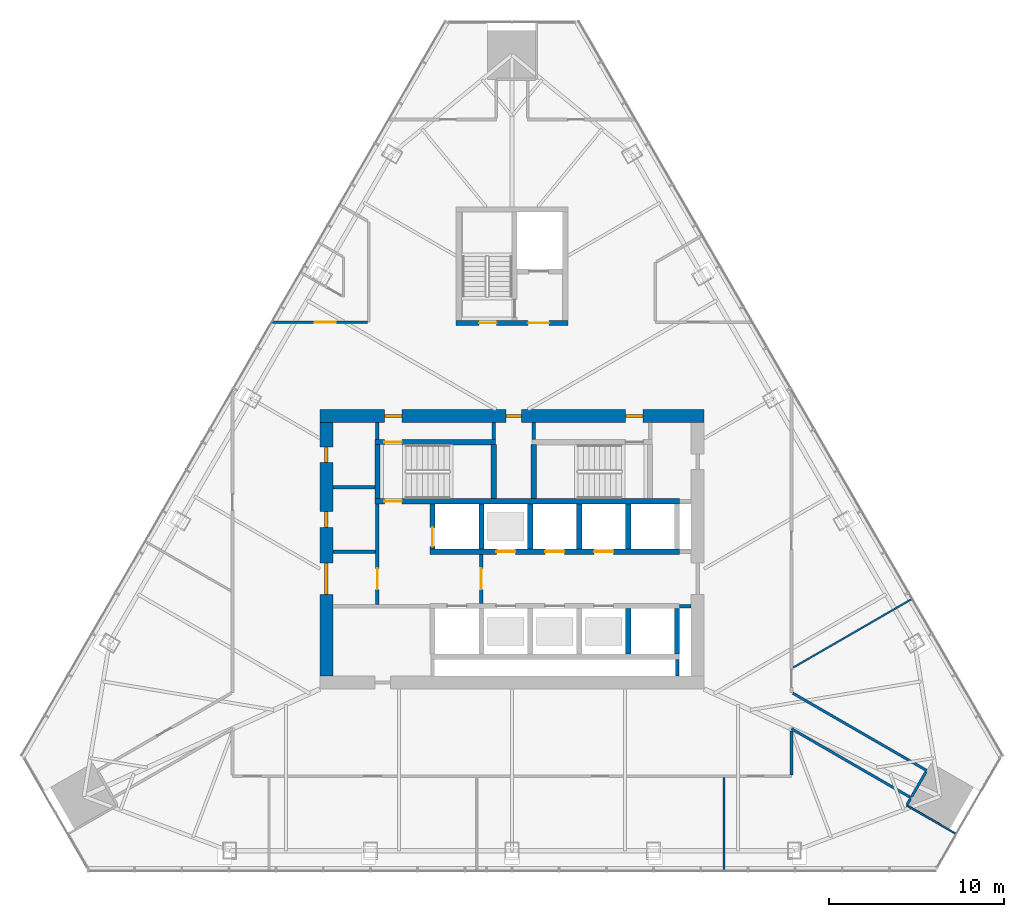
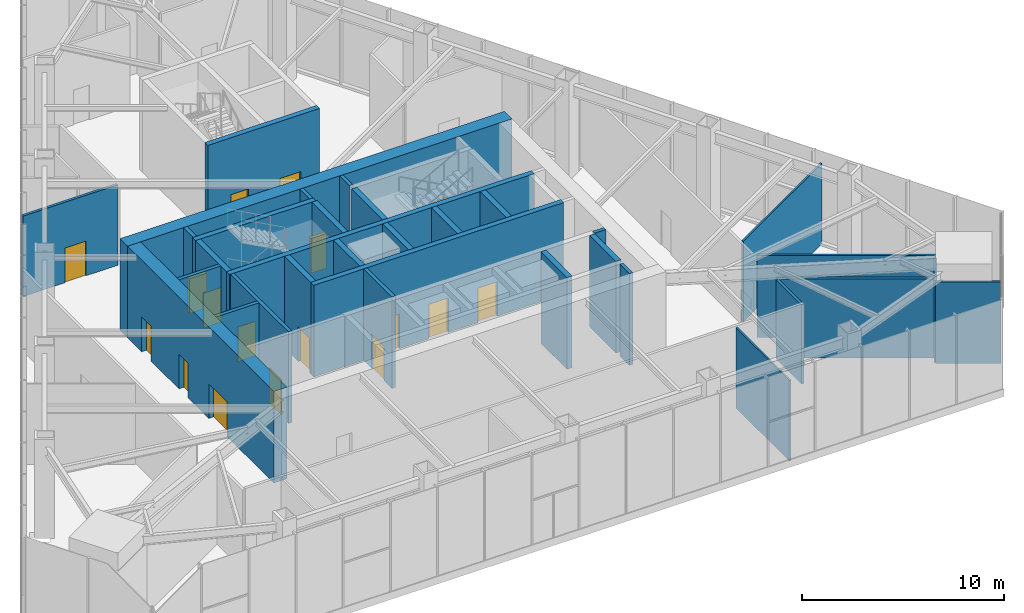
# One storey, part 11 of 16: 34 walls, 17 doors, 17 openings.
"""IFC4 building model written with IfcOpenShell, lengths in metres."""

from ifc_helpers import new_model, si_unit, direction, frame, frame_2d, origin, place, context, subcontext, project, spatial, rectangle, extrude, material, layer, layer_set, type_object, element, fill, save


model = new_model("IFC4")

# Units and contexts
model_context = context("Model", 3, precision=1e-05, world=origin(), true_north=direction((0.0, 1.0)))
body_context = subcontext(model_context, "Body", "Model", "MODEL_VIEW")
ifc_project = project(units=[si_unit("LENGTHUNIT", "METRE"), si_unit("AREAUNIT", "SQUARE_METRE"), si_unit("VOLUMEUNIT", "CUBIC_METRE"), si_unit("PLANEANGLEUNIT", "RADIAN"), si_unit("MASSUNIT", "GRAM", prefix="KILO")], contexts=[model_context])

# Site, building, storey
site_placement = place(None, origin())
site = spatial("IfcSite", under=ifc_project, at=site_placement, CompositionType="ELEMENT")
building_placement = place(site_placement, origin())
building = spatial("IfcBuilding", under=site, at=building_placement, Name="Firuza Gate Tower and Library", CompositionType="ELEMENT")
storey_placement = place(building_placement, frame((0.0, 0.0, 241.60009765625)))
storey = spatial("IfcBuildingStorey", under=building, at=storey_placement, Name="L57", CompositionType="ELEMENT", Elevation=241.60009765625)

# Walls
ifc_material_1 = material(Name="Plasterboard on steel studs", Category="steel")
ifc_layer_1 = layer(ifc_material_1, 0.199951171875)
ifc_layer_set_1 = layer_set([ifc_layer_1], Name="Core partition 200 EI 120")
wall_type_1 = type_object("IfcWallType", Name="Core partition 200 EI 120", PredefinedType="PARTITIONING", material=ifc_layer_set_1)
wall_1_placement = place(storey_placement, frame((84.60009765625, 71.75, 0.0), z_axis=(0.0, 0.0, 1.0), x_axis=(1.0, 0.0, 0.0)))
element("IfcWall", 1, at=wall_1_placement, inside=storey, type_object=wall_type_1, Name="Core partition L57 2", PredefinedType="PARTITIONING", context=body_context, shape_type="SweptSolid", body=[
    extrude(rectangle(XDim=0.64990234375, YDim=0.199951171875, at=frame_2d((0.324951171875, 0.0))), origin(), (0.0, 0.0, 1.0), 5.5498046875),
])
wall_2_placement = place(storey_placement, frame((84.449951171875, 67.75, 0.0), z_axis=(0.0, 0.0, 1.0), x_axis=(0.0, 1.0, 0.0)))
element("IfcWall", 2, at=wall_2_placement, inside=storey, type_object=wall_type_1, Name="Core partition L57 14", PredefinedType="PARTITIONING", context=body_context, shape_type="SweptSolid", body=[
    extrude(rectangle(XDim=0.949951171875, YDim=0.199951171875, at=frame_2d((0.47509765625, 0.0))), origin(), (0.0, 0.0, 1.0), 5.5498046875),
])
ifc_material_2 = material(Name="Plasterboard on steel studs", Category="steel")
ifc_layer_2 = layer(ifc_material_2, 0.199951171875)
ifc_layer_set_2 = layer_set([ifc_layer_2], Name="Core partition 200 EI 60")
wall_type_2 = type_object("IfcWallType", Name="Core partition 200 EI 60", PredefinedType="PARTITIONING", material=ifc_layer_set_2)
wall_3_placement = place(storey_placement, frame((64.75, 74.85009765625, 0.0), z_axis=(0.0, 0.0, 1.0), x_axis=(1.0, 0.0, 0.0)))
element("IfcWall", 3, at=wall_3_placement, inside=storey, type_object=wall_type_2, Name="Core partition L57 3", PredefinedType="PARTITIONING", context=body_context, shape_type="SweptSolid", body=[
    extrude(rectangle(XDim=2.449951171875, YDim=0.199951171875, at=frame_2d((1.22509765625, 0.0))), origin(), (0.0, 0.0, 1.0), 5.5498046875),
])
wall_4_placement = place(storey_placement, frame((64.75, 78.550048828125, 0.0), z_axis=(0.0, 0.0, 1.0), x_axis=(1.0, 0.0, 0.0)))
element("IfcWall", 4, at=wall_4_placement, inside=storey, type_object=wall_type_2, Name="Core partition L57 6", PredefinedType="PARTITIONING", context=body_context, shape_type="SweptSolid", body=[
    extrude(rectangle(XDim=2.39990234375, YDim=0.199951171875, at=frame_2d((1.199951171875, 0.0))), origin(), (0.0, 0.0, 1.0), 5.5498046875),
])

# Wall, opening, door
wall_5_placement = place(storey_placement, frame((67.300048828125, 71.85009765625, 0.0), z_axis=(0.0, 0.0, 1.0), x_axis=(0.0, 1.0, 0.0)))
wall_5 = element("IfcWall", 5, at=wall_5_placement, inside=storey, type_object=wall_type_2, Name="Core partition L57 7", PredefinedType="PARTITIONING", context=body_context, shape_type="SweptSolid", body=[
    extrude(rectangle(XDim=5.75, YDim=0.199951171875, at=frame_2d((2.875, 0.0))), origin(), (0.0, 0.0, 1.0), 5.5498046875),
])
opening_1_placement = place(wall_5_placement, frame((0.85009765625, 0.0, 0.0)))
opening_1 = element("IfcOpeningElement", 6, at=opening_1_placement, cuts=wall_5, Name="Opening L57-K19", PredefinedType="OPENING", context=body_context, shape_type="SweptSolid", body=[
    extrude(rectangle(XDim=1.199951171875, YDim=2.10009765625, at=frame_2d((0.60009765625, 1.050048828125))), frame((0.0, 0.10986328125, 0.0), z_axis=(0.0, -1.0, 0.0), x_axis=(1.0, 0.0, 0.0)), (0.0, 0.0, 1.0), 0.219970703125),
])
ifc_material_3 = material(Name="Steel", Category="steel")
door_type_1 = type_object("IfcDoorType", Name="Fire door 1200x2100 FD90S", OperationType="NOTDEFINED", PredefinedType="DOOR", material=ifc_material_3)
door_1_placement = place(opening_1_placement, origin())
door_1 = element("IfcDoor", 7, at=door_1_placement, inside=storey, type_object=door_type_1, Name="Door L57-K19", OperationType="SINGLE_SWING_RIGHT", OverallHeight=2.10009765625, OverallWidth=1.199951171875, PredefinedType="DOOR", context=body_context, shape_type="SweptSolid", body=[
    extrude(rectangle(XDim=1.199951171875, YDim=2.10009765625, at=frame_2d((0.60009765625, 1.050048828125))), frame((0.0, 0.02490234375, 0.0), z_axis=(0.0, -1.0, 0.0), x_axis=(1.0, 0.0, 0.0)), (0.0, 0.0, 1.0), 0.050048828125),
])
fill(opening_1, door_1)

# Wall
wall_6_placement = place(storey_placement, frame((67.300048828125, 81.280029296875, 0.0), z_axis=(0.0, 0.0, 1.0), x_axis=(0.0, 1.0, 0.0)))
element("IfcWall", 8, at=wall_6_placement, inside=storey, type_object=wall_type_2, Name="Core partition L57 8", PredefinedType="PARTITIONING", context=body_context, shape_type="SweptSolid", body=[
    extrude(rectangle(XDim=0.969970703125, YDim=0.199951171875, at=frame_2d((0.48486328125, 0.0))), origin(), (0.0, 0.0, 1.0), 5.5498046875),
])

# Wall, opening, door
wall_7_placement = place(storey_placement, frame((73.25, 71.89990234375, 0.0), z_axis=(0.0, 0.0, 1.0), x_axis=(0.0, 1.0, 0.0)))
wall_7 = element("IfcWall", 9, at=wall_7_placement, inside=storey, type_object=wall_type_2, Name="Core partition L57 10", PredefinedType="PARTITIONING", context=body_context, shape_type="SweptSolid", body=[
    extrude(rectangle(XDim=2.800048828125, YDim=0.199951171875, at=frame_2d((1.39990234375, 0.0))), origin(), (0.0, 0.0, 1.0), 5.5498046875),
])
opening_2_placement = place(wall_7_placement, frame((0.800048828125, 0.0, 0.0)))
opening_2 = element("IfcOpeningElement", 10, at=opening_2_placement, cuts=wall_7, Name="Opening L57-K18", PredefinedType="OPENING", context=body_context, shape_type="SweptSolid", body=[
    extrude(rectangle(XDim=1.199951171875, YDim=2.10009765625, at=frame_2d((0.60009765625, 1.050048828125))), frame((0.0, 0.10986328125, 0.0), z_axis=(0.0, -1.0, 0.0), x_axis=(1.0, 0.0, 0.0)), (0.0, 0.0, 1.0), 0.219970703125),
])
door_2_placement = place(opening_2_placement, origin())
door_2 = element("IfcDoor", 11, at=door_2_placement, inside=storey, type_object=door_type_1, Name="Door L57-K18", OperationType="SINGLE_SWING_LEFT", OverallHeight=2.10009765625, OverallWidth=1.199951171875, PredefinedType="DOOR", context=body_context, shape_type="SweptSolid", body=[
    extrude(rectangle(XDim=1.199951171875, YDim=2.10009765625, at=frame_2d((0.60009765625, 1.050048828125))), frame((0.0, 0.02490234375, 0.0), z_axis=(0.0, -1.0, 0.0), x_axis=(1.0, 0.0, 0.0)), (0.0, 0.0, 1.0), 0.050048828125),
])
fill(opening_2, door_2)

# Walls
for number, where, z_axis, x_axis, name in (
    (12, (73.9599609375, 81.280029296875, 0.0), (0.0, 0.0, 1.0), (0.0, 1.0, 0.0), "Core partition L57 11"),
    (13, (76.239990234375, 81.280029296875, 0.0), (0.0, 0.0, 1.0), (0.0, 1.0, 0.0), "Core partition L57 12"),
):
    element("IfcWall", number, at=place(storey_placement, frame(where, z_axis=z_axis, x_axis=x_axis)), inside=storey, type_object=wall_type_2, Name=name, PredefinedType="PARTITIONING", context=body_context, shape_type="SweptSolid", body=[
        extrude(rectangle(XDim=0.969970703125, YDim=0.199951171875, at=frame_2d((0.48486328125, 0.0))), origin(), (0.0, 0.0, 1.0), 5.5498046875),
    ])

# Wall, openings, doors
ifc_material_4 = material(Name="Concrete C80/95", Category="concrete")
ifc_layer_3 = layer(ifc_material_4, 0.300048828125)
ifc_layer_set_3 = layer_set([ifc_layer_3], Name="Core wall 300 C80/95")
wall_type_3 = type_object("IfcWallType", Name="Core wall 300 C80/95", PredefinedType="SHEAR", material=ifc_layer_set_3)
wall_8_placement = place(storey_placement, frame((70.300048828125, 74.85009765625, 0.0), z_axis=(0.0, 0.0, 1.0), x_axis=(1.0, 0.0, 0.0)))
wall_8 = element("IfcWall", 14, at=wall_8_placement, inside=storey, type_object=wall_type_3, Name="Core wall L57 7", PredefinedType="SHEAR", context=body_context, shape_type="SweptSolid", body=[
    extrude(rectangle(XDim=14.300048828125, YDim=0.300048828125, at=frame_2d((7.14990234375, 0.0))), origin(), (0.0, 0.0, 1.0), 5.5498046875),
])
opening_3_placement = place(wall_8_placement, frame((3.800048828125, 0.0, 0.0)))
opening_3 = element("IfcOpeningElement", 15, at=opening_3_placement, cuts=wall_8, Name="Opening LD-HR4-L57", PredefinedType="OPENING", context=body_context, shape_type="SweptSolid", body=[
    extrude(rectangle(XDim=1.10009765625, YDim=2.10009765625, at=frame_2d((0.550048828125, 1.050048828125))), frame((0.0, 0.16015625, 0.0), z_axis=(0.0, -1.0, 0.0), x_axis=(1.0, 0.0, 0.0)), (0.0, 0.0, 1.0), 0.320068359375),
])
opening_4_placement = place(wall_8_placement, frame((6.60009765625, 0.0, 0.0)))
opening_4 = element("IfcOpeningElement", 16, at=opening_4_placement, cuts=wall_8, Name="Opening LD-SB1-L57", PredefinedType="OPENING", context=body_context, shape_type="SweptSolid", body=[
    extrude(rectangle(XDim=1.10009765625, YDim=2.10009765625, at=frame_2d((0.550048828125, 1.050048828125))), frame((0.0, 0.16015625, 0.0), z_axis=(0.0, -1.0, 0.0), x_axis=(1.0, 0.0, 0.0)), (0.0, 0.0, 1.0), 0.320068359375),
])
opening_5_placement = place(wall_8_placement, frame((9.39990234375, 0.0, 0.0)))
opening_5 = element("IfcOpeningElement", 17, at=opening_5_placement, cuts=wall_8, Name="Opening LD-SB2-L57", PredefinedType="OPENING", context=body_context, shape_type="SweptSolid", body=[
    extrude(rectangle(XDim=1.10009765625, YDim=2.10009765625, at=frame_2d((0.550048828125, 1.050048828125))), frame((0.0, 0.16015625, 0.0), z_axis=(0.0, -1.0, 0.0), x_axis=(1.0, 0.0, 0.0)), (0.0, 0.0, 1.0), 0.320068359375),
])
ifc_material_5 = material(Name="Stainless steel", Category="steel")
door_type_2 = type_object("IfcDoorType", Name="Lift landing door 1100x2100", OperationType="DOUBLE_DOOR_SLIDING", PredefinedType="DOOR", material=ifc_material_5)
door_3_placement = place(opening_3_placement, origin())
door_3 = element("IfcDoor", 18, at=door_3_placement, inside=storey, type_object=door_type_2, Name="Landing door HR4 L57", OperationType="DOUBLE_DOOR_SLIDING", OverallHeight=2.10009765625, OverallWidth=1.10009765625, PredefinedType="DOOR", context=body_context, shape_type="SweptSolid", body=[
    extrude(rectangle(XDim=1.10009765625, YDim=2.10009765625, at=frame_2d((0.550048828125, 1.050048828125))), frame((0.0, 0.02490234375, 0.0), z_axis=(0.0, -1.0, 0.0), x_axis=(1.0, 0.0, 0.0)), (0.0, 0.0, 1.0), 0.050048828125),
])
fill(opening_3, door_3)
door_4_placement = place(opening_4_placement, origin())
door_4 = element("IfcDoor", 19, at=door_4_placement, inside=storey, type_object=door_type_2, Name="Landing door SB1 L57", OperationType="DOUBLE_DOOR_SLIDING", OverallHeight=2.10009765625, OverallWidth=1.10009765625, PredefinedType="DOOR", context=body_context, shape_type="SweptSolid", body=[
    extrude(rectangle(XDim=1.10009765625, YDim=2.10009765625, at=frame_2d((0.550048828125, 1.050048828125))), frame((0.0, 0.02490234375, 0.0), z_axis=(0.0, -1.0, 0.0), x_axis=(1.0, 0.0, 0.0)), (0.0, 0.0, 1.0), 0.050048828125),
])
fill(opening_4, door_4)
door_5_placement = place(opening_5_placement, origin())
door_5 = element("IfcDoor", 20, at=door_5_placement, inside=storey, type_object=door_type_2, Name="Landing door SB2 L57", OperationType="DOUBLE_DOOR_SLIDING", OverallHeight=2.10009765625, OverallWidth=1.10009765625, PredefinedType="DOOR", context=body_context, shape_type="SweptSolid", body=[
    extrude(rectangle(XDim=1.10009765625, YDim=2.10009765625, at=frame_2d((0.550048828125, 1.050048828125))), frame((0.0, 0.02490234375, 0.0), z_axis=(0.0, -1.0, 0.0), x_axis=(1.0, 0.0, 0.0)), (0.0, 0.0, 1.0), 0.050048828125),
])
fill(opening_5, door_5)

# Wall, opening, door
wall_9_placement = place(storey_placement, frame((70.449951171875, 75.0, 0.0), z_axis=(0.0, 0.0, 1.0), x_axis=(0.0, 1.0, 0.0)))
wall_9 = element("IfcWall", 21, at=wall_9_placement, inside=storey, type_object=wall_type_3, Name="Core wall L57 9", PredefinedType="SHEAR", context=body_context, shape_type="SweptSolid", body=[
    extrude(rectangle(XDim=2.60009765625, YDim=0.300048828125, at=frame_2d((1.300048828125, 0.0))), origin(), (0.0, 0.0, 1.0), 5.5498046875),
])
opening_6_placement = place(wall_9_placement, frame((0.14990234375, 0.0, 0.0)))
opening_6 = element("IfcOpeningElement", 22, at=opening_6_placement, cuts=wall_9, Name="Opening LD-FF2-L57", PredefinedType="OPENING", context=body_context, shape_type="SweptSolid", body=[
    extrude(rectangle(XDim=1.10009765625, YDim=2.10009765625, at=frame_2d((0.550048828125, 1.050048828125))), frame((0.0, 0.16015625, 0.0), z_axis=(0.0, -1.0, 0.0), x_axis=(1.0, 0.0, 0.0)), (0.0, 0.0, 1.0), 0.320068359375),
])
door_6_placement = place(opening_6_placement, origin())
door_6 = element("IfcDoor", 23, at=door_6_placement, inside=storey, type_object=door_type_2, Name="Landing door FF2 L57", OperationType="DOUBLE_DOOR_SLIDING", OverallHeight=2.10009765625, OverallWidth=1.10009765625, PredefinedType="DOOR", context=body_context, shape_type="SweptSolid", body=[
    extrude(rectangle(XDim=1.10009765625, YDim=2.10009765625, at=frame_2d((0.550048828125, 1.050048828125))), frame((0.0, 0.02490234375, 0.0), z_axis=(0.0, -1.0, 0.0), x_axis=(1.0, 0.0, 0.0)), (0.0, 0.0, 1.0), 0.050048828125),
])
fill(opening_6, door_6)

# Walls
for number, where, z_axis, x_axis, name in (
    (24, (73.25, 75.0, 0.0), (0.0, 0.0, 1.0), (0.0, 1.0, 0.0), "Core wall L57 11"),
    (25, (76.050048828125, 75.0, 0.0), (0.0, 0.0, 1.0), (0.0, 1.0, 0.0), "Core wall L57 13"),
    (26, (78.85009765625, 75.0, 0.0), (0.0, 0.0, 1.0), (0.0, 1.0, 0.0), "Core wall L57 15"),
    (27, (81.64990234375, 69.0, 0.0), (0.0, 0.0, 1.0), (0.0, 1.0, 0.0), "Core wall L57 16"),
    (28, (81.64990234375, 75.0, 0.0), (0.0, 0.0, 1.0), (0.0, 1.0, 0.0), "Core wall L57 17"),
    (29, (84.449951171875, 69.0, 0.0), (0.0, 0.0, 1.0), (0.0, 1.0, 0.0), "Core wall L57 18"),
):
    element("IfcWall", number, at=place(storey_placement, frame(where, z_axis=z_axis, x_axis=x_axis)), inside=storey, type_object=wall_type_3, Name=name, PredefinedType="SHEAR", context=body_context, shape_type="SweptSolid", body=[
        extrude(rectangle(XDim=2.60009765625, YDim=0.300048828125, at=frame_2d((1.300048828125, 0.0))), origin(), (0.0, 0.0, 1.0), 5.5498046875),
    ])

# Wall, opening, door
wall_10_placement = place(storey_placement, frame((67.14990234375, 77.75, 0.0), z_axis=(0.0, 0.0, 1.0), x_axis=(1.0, 0.0, 0.0)))
wall_10 = element("IfcWall", 30, at=wall_10_placement, inside=storey, type_object=wall_type_3, Name="Core wall L57 20", PredefinedType="SHEAR", context=body_context, shape_type="SweptSolid", body=[
    extrude(rectangle(XDim=17.4501953125, YDim=0.300048828125, at=frame_2d((8.72509765625, 0.0))), origin(), (0.0, 0.0, 1.0), 5.5498046875),
])
opening_7_placement = place(wall_10_placement, frame((0.544921875, 0.0, 0.0)))
opening_7 = element("IfcOpeningElement", 31, at=opening_7_placement, cuts=wall_10, Name="Opening L57-K10", PredefinedType="OPENING", context=body_context, shape_type="SweptSolid", body=[
    extrude(rectangle(XDim=1.0, YDim=2.10009765625, at=frame_2d((0.5, 1.050048828125))), frame((0.0, 0.16015625, 0.0), z_axis=(0.0, -1.0, 0.0), x_axis=(1.0, 0.0, 0.0)), (0.0, 0.0, 1.0), 0.320068359375),
])
ifc_material_6 = material(Name="Steel", Category="steel")
door_type_3 = type_object("IfcDoorType", Name="Fire door 1000x2100 FD90", OperationType="NOTDEFINED", PredefinedType="DOOR", material=ifc_material_6)
door_7_placement = place(opening_7_placement, origin())
door_7 = element("IfcDoor", 32, at=door_7_placement, inside=storey, type_object=door_type_3, Name="Door L57-K10", OperationType="SINGLE_SWING_LEFT", OverallHeight=2.10009765625, OverallWidth=1.0, PredefinedType="DOOR", context=body_context, shape_type="SweptSolid", body=[
    extrude(rectangle(XDim=1.0, YDim=2.10009765625, at=frame_2d((0.5, 1.050048828125))), frame((0.0, 0.02490234375, 0.0), z_axis=(0.0, -1.0, 0.0), x_axis=(1.0, 0.0, 0.0)), (0.0, 0.0, 1.0), 0.050048828125),
])
fill(opening_7, door_7)

wall_11_placement = place(storey_placement, frame((67.14990234375, 81.1298828125, 0.0), z_axis=(0.0, 0.0, 1.0), x_axis=(1.0, 0.0, 0.0)))
wall_11 = element("IfcWall", 33, at=wall_11_placement, inside=storey, type_object=wall_type_3, Name="Core wall L57 21", PredefinedType="SHEAR", context=body_context, shape_type="SweptSolid", body=[
    extrude(rectangle(XDim=6.91015625, YDim=0.300048828125, at=frame_2d((3.455078125, 0.0))), origin(), (0.0, 0.0, 1.0), 5.5498046875),
])
opening_8_placement = place(wall_11_placement, frame((0.544921875, 0.0, 0.0)))
opening_8 = element("IfcOpeningElement", 34, at=opening_8_placement, cuts=wall_11, Name="Opening L57-K11", PredefinedType="OPENING", context=body_context, shape_type="SweptSolid", body=[
    extrude(rectangle(XDim=1.0, YDim=2.10009765625, at=frame_2d((0.5, 1.050048828125))), frame((0.0, 0.16015625, 0.0), z_axis=(0.0, -1.0, 0.0), x_axis=(1.0, 0.0, 0.0)), (0.0, 0.0, 1.0), 0.320068359375),
])
door_8_placement = place(opening_8_placement, origin())
door_8 = element("IfcDoor", 35, at=door_8_placement, inside=storey, type_object=door_type_3, Name="Door L57-K11", OperationType="SINGLE_SWING_RIGHT", OverallHeight=2.10009765625, OverallWidth=1.0, PredefinedType="DOOR", context=body_context, shape_type="SweptSolid", body=[
    extrude(rectangle(XDim=1.0, YDim=2.10009765625, at=frame_2d((0.5, 1.050048828125))), frame((0.0, 0.02490234375, 0.0), z_axis=(0.0, -1.0, 0.0), x_axis=(1.0, 0.0, 0.0)), (0.0, 0.0, 1.0), 0.050048828125),
])
fill(opening_8, door_8)

# Walls
for number, where, z_axis, x_axis, name in (
    (36, (67.300048828125, 77.89990234375, 0.0), (0.0, 0.0, 1.0), (0.0, 1.0, 0.0), "Core wall L57 23"),
    (37, (73.9599609375, 77.89990234375, 0.0), (0.0, 0.0, 1.0), (0.0, 1.0, 0.0), "Core wall L57 24"),
    (38, (76.239990234375, 77.89990234375, 0.0), (0.0, 0.0, 1.0), (0.0, 1.0, 0.0), "Core wall L57 25"),
):
    element("IfcWall", number, at=place(storey_placement, frame(where, z_axis=z_axis, x_axis=x_axis)), inside=storey, type_object=wall_type_3, Name=name, PredefinedType="SHEAR", context=body_context, shape_type="SweptSolid", body=[
        extrude(rectangle(XDim=3.080078125, YDim=0.300048828125, at=frame_2d((1.5400390625, 0.0))), origin(), (0.0, 0.0, 1.0), 5.5498046875),
    ])

# Wall, openings, doors
wall_12_placement = place(storey_placement, frame((71.800048828125, 87.949951171875, 0.0), z_axis=(0.0, 0.0, 1.0), x_axis=(1.0, 0.0, 0.0)))
wall_12 = element("IfcWall", 39, at=wall_12_placement, inside=storey, type_object=wall_type_3, Name="Core wall L57 27", PredefinedType="SHEAR", context=body_context, shape_type="SweptSolid", body=[
    extrude(rectangle(XDim=6.39990234375, YDim=0.300048828125, at=frame_2d((3.199951171875, 0.0))), origin(), (0.0, 0.0, 1.0), 5.5498046875),
])
opening_9_placement = place(wall_12_placement, frame((1.324951171875, 0.0, 0.0)))
opening_9 = element("IfcOpeningElement", 40, at=opening_9_placement, cuts=wall_12, Name="Opening L57-K15", PredefinedType="OPENING", context=body_context, shape_type="SweptSolid", body=[
    extrude(rectangle(XDim=1.0, YDim=2.10009765625, at=frame_2d((0.5, 1.050048828125))), frame((0.0, 0.16015625, 0.0), z_axis=(0.0, -1.0, 0.0), x_axis=(1.0, 0.0, 0.0)), (0.0, 0.0, 1.0), 0.320068359375),
])
opening_10_placement = place(wall_12_placement, frame((4.125, 0.0, 0.0)))
opening_10 = element("IfcOpeningElement", 41, at=opening_10_placement, cuts=wall_12, Name="Opening L57-K17", PredefinedType="OPENING", context=body_context, shape_type="SweptSolid", body=[
    extrude(rectangle(XDim=1.199951171875, YDim=2.10009765625, at=frame_2d((0.60009765625, 1.050048828125))), frame((0.0, 0.16015625, 0.0), z_axis=(0.0, -1.0, 0.0), x_axis=(1.0, 0.0, 0.0)), (0.0, 0.0, 1.0), 0.320068359375),
])
door_9_placement = place(opening_9_placement, origin())
door_9 = element("IfcDoor", 42, at=door_9_placement, inside=storey, type_object=door_type_3, Name="Door L57-K15", OperationType="SINGLE_SWING_RIGHT", OverallHeight=2.10009765625, OverallWidth=1.0, PredefinedType="DOOR", context=body_context, shape_type="SweptSolid", body=[
    extrude(rectangle(XDim=1.0, YDim=2.10009765625, at=frame_2d((0.5, 1.050048828125))), frame((0.0, 0.02490234375, 0.0), z_axis=(0.0, -1.0, 0.0), x_axis=(1.0, 0.0, 0.0)), (0.0, 0.0, 1.0), 0.050048828125),
])
fill(opening_9, door_9)
ifc_material_7 = material(Name="Steel", Category="steel")
door_type_4 = type_object("IfcDoorType", Name="Fire door 1200x2100 FD30S", OperationType="NOTDEFINED", PredefinedType="DOOR", material=ifc_material_7)
door_10_placement = place(opening_10_placement, origin())
door_10 = element("IfcDoor", 43, at=door_10_placement, inside=storey, type_object=door_type_4, Name="Door L57-K17", OperationType="SINGLE_SWING_RIGHT", OverallHeight=2.10009765625, OverallWidth=1.199951171875, PredefinedType="DOOR", context=body_context, shape_type="SweptSolid", body=[
    extrude(rectangle(XDim=1.199951171875, YDim=2.10009765625, at=frame_2d((0.60009765625, 1.050048828125))), frame((0.0, 0.02490234375, 0.0), z_axis=(0.0, -1.0, 0.0), x_axis=(1.0, 0.0, 0.0)), (0.0, 0.0, 1.0), 0.050048828125),
])
fill(opening_10, door_10)

ifc_material_8 = material(Name="Concrete C80/95", Category="concrete")
ifc_layer_4 = layer(ifc_material_8, 0.75)
ifc_layer_set_4 = layer_set([ifc_layer_4], Name="Core wall 750 C80/95")
wall_type_4 = type_object("IfcWallType", Name="Core wall 750 C80/95", PredefinedType="SHEAR", material=ifc_layer_set_4)
wall_13_placement = place(storey_placement, frame((64.0, 82.625, 0.0), z_axis=(0.0, 0.0, 1.0), x_axis=(1.0, 0.0, 0.0)))
wall_13 = element("IfcWall", 44, at=wall_13_placement, inside=storey, type_object=wall_type_4, Name="Core wall L57 2", PredefinedType="SHEAR", context=body_context, shape_type="SweptSolid", body=[
    extrude(rectangle(XDim=22.0, YDim=0.75, at=frame_2d((11.0, 0.0))), origin(), (0.0, 0.0, 1.0), 5.5498046875),
])
opening_11_placement = place(wall_13_placement, frame((3.695068359375, 0.0, 0.0)))
opening_11 = element("IfcOpeningElement", 45, at=opening_11_placement, cuts=wall_13, Name="Opening L57-K12", PredefinedType="OPENING", context=body_context, shape_type="SweptSolid", body=[
    extrude(rectangle(XDim=1.0, YDim=2.10009765625, at=frame_2d((0.5, 1.050048828125))), frame((0.0, 0.385009765625, 0.0), z_axis=(0.0, -1.0, 0.0), x_axis=(1.0, 0.0, 0.0)), (0.0, 0.0, 1.0), 0.77001953125),
])
opening_12_placement = place(wall_13_placement, frame((17.5048828125, 0.0, 0.0)))
opening_12 = element("IfcOpeningElement", 46, at=opening_12_placement, cuts=wall_13, Name="Opening L57-K14", PredefinedType="OPENING", context=body_context, shape_type="SweptSolid", body=[
    extrude(rectangle(XDim=1.0, YDim=2.10009765625, at=frame_2d((0.5, 1.050048828125))), frame((0.0, 0.385009765625, 0.0), z_axis=(0.0, -1.0, 0.0), x_axis=(1.0, 0.0, 0.0)), (0.0, 0.0, 1.0), 0.77001953125),
])
opening_13_placement = place(wall_13_placement, frame((10.64990234375, 0.0, 0.0)))
opening_13 = element("IfcOpeningElement", 47, at=opening_13_placement, cuts=wall_13, Name="Opening L57-K25", PredefinedType="OPENING", context=body_context, shape_type="SweptSolid", body=[
    extrude(rectangle(XDim=0.89990234375, YDim=2.10009765625, at=frame_2d((0.449951171875, 1.050048828125))), frame((0.0, 0.385009765625, 0.0), z_axis=(0.0, -1.0, 0.0), x_axis=(1.0, 0.0, 0.0)), (0.0, 0.0, 1.0), 0.77001953125),
])
door_11_placement = place(opening_11_placement, origin())
door_11 = element("IfcDoor", 48, at=door_11_placement, inside=storey, type_object=door_type_3, Name="Door L57-K12", OperationType="SINGLE_SWING_LEFT", OverallHeight=2.10009765625, OverallWidth=1.0, PredefinedType="DOOR", context=body_context, shape_type="SweptSolid", body=[
    extrude(rectangle(XDim=1.0, YDim=2.10009765625, at=frame_2d((0.5, 1.050048828125))), frame((0.0, 0.094970703125, 0.0), z_axis=(0.0, -1.0, 0.0), x_axis=(1.0, 0.0, 0.0)), (0.0, 0.0, 1.0), 0.18994140625),
])
fill(opening_11, door_11)
door_12_placement = place(opening_12_placement, origin())
door_12 = element("IfcDoor", 49, at=door_12_placement, inside=storey, type_object=door_type_3, Name="Door L57-K14", OperationType="SINGLE_SWING_LEFT", OverallHeight=2.10009765625, OverallWidth=1.0, PredefinedType="DOOR", context=body_context, shape_type="SweptSolid", body=[
    extrude(rectangle(XDim=1.0, YDim=2.10009765625, at=frame_2d((0.5, 1.050048828125))), frame((0.0, 0.094970703125, 0.0), z_axis=(0.0, -1.0, 0.0), x_axis=(1.0, 0.0, 0.0)), (0.0, 0.0, 1.0), 0.18994140625),
])
fill(opening_12, door_12)
ifc_material_9 = material(Name="Steel", Category="steel")
door_type_5 = type_object("IfcDoorType", Name="Fire door 900x2100 FD30S", OperationType="NOTDEFINED", PredefinedType="DOOR", material=ifc_material_9)
door_13_placement = place(opening_13_placement, origin())
door_13 = element("IfcDoor", 50, at=door_13_placement, inside=storey, type_object=door_type_5, Name="Door L57-K25", OperationType="SINGLE_SWING_RIGHT", OverallHeight=2.10009765625, OverallWidth=0.89990234375, PredefinedType="DOOR", context=body_context, shape_type="SweptSolid", body=[
    extrude(rectangle(XDim=0.89990234375, YDim=2.10009765625, at=frame_2d((0.449951171875, 1.050048828125))), frame((0.0, 0.094970703125, 0.0), z_axis=(0.0, -1.0, 0.0), x_axis=(1.0, 0.0, 0.0)), (0.0, 0.0, 1.0), 0.18994140625),
])
fill(opening_13, door_13)

wall_14_placement = place(storey_placement, frame((64.375, 67.75, 0.0), z_axis=(0.0, 0.0, 1.0), x_axis=(0.0, 1.0, 0.0)))
wall_14 = element("IfcWall", 51, at=wall_14_placement, inside=storey, type_object=wall_type_4, Name="Core wall L57 3", PredefinedType="SHEAR", context=body_context, shape_type="SweptSolid", body=[
    extrude(rectangle(XDim=14.5, YDim=0.75, at=frame_2d((7.25, 0.0))), origin(), (0.0, 0.0, 1.0), 5.5498046875),
])
opening_14_placement = place(wall_14_placement, frame((4.64990234375, 0.0, 0.0)))
opening_14 = element("IfcOpeningElement", 52, at=opening_14_placement, cuts=wall_14, Name="Opening L57-K20", PredefinedType="OPENING", context=body_context, shape_type="SweptSolid", body=[
    extrude(rectangle(XDim=1.800048828125, YDim=2.10009765625, at=frame_2d((0.89990234375, 1.050048828125))), frame((0.0, 0.385009765625, 0.0), z_axis=(0.0, -1.0, 0.0), x_axis=(1.0, 0.0, 0.0)), (0.0, 0.0, 1.0), 0.77001953125),
])
opening_15_placement = place(wall_14_placement, frame((8.5, 0.0, 0.0)))
opening_15 = element("IfcOpeningElement", 53, at=opening_15_placement, cuts=wall_14, Name="Opening L57-K23", PredefinedType="OPENING", context=body_context, shape_type="SweptSolid", body=[
    extrude(rectangle(XDim=0.89990234375, YDim=2.10009765625, at=frame_2d((0.449951171875, 1.050048828125))), frame((0.0, 0.385009765625, 0.0), z_axis=(0.0, -1.0, 0.0), x_axis=(1.0, 0.0, 0.0)), (0.0, 0.0, 1.0), 0.77001953125),
])
opening_16_placement = place(wall_14_placement, frame((12.199951171875, 0.0, 0.0)))
opening_16 = element("IfcOpeningElement", 54, at=opening_16_placement, cuts=wall_14, Name="Opening L57-K24", PredefinedType="OPENING", context=body_context, shape_type="SweptSolid", body=[
    extrude(rectangle(XDim=0.89990234375, YDim=2.10009765625, at=frame_2d((0.449951171875, 1.050048828125))), frame((0.0, 0.385009765625, 0.0), z_axis=(0.0, -1.0, 0.0), x_axis=(1.0, 0.0, 0.0)), (0.0, 0.0, 1.0), 0.77001953125),
])
ifc_material_10 = material(Name="Steel", Category="steel")
door_type_6 = type_object("IfcDoorType", Name="Fire door 1800x2100 FD30S", OperationType="NOTDEFINED", PredefinedType="DOOR", material=ifc_material_10)
door_14_placement = place(opening_14_placement, origin())
door_14 = element("IfcDoor", 55, at=door_14_placement, inside=storey, type_object=door_type_6, Name="Door L57-K20", OperationType="SINGLE_SWING_LEFT", OverallHeight=2.10009765625, OverallWidth=1.800048828125, PredefinedType="DOOR", context=body_context, shape_type="SweptSolid", body=[
    extrude(rectangle(XDim=1.800048828125, YDim=2.10009765625, at=frame_2d((0.89990234375, 1.050048828125))), frame((0.0, 0.094970703125, 0.0), z_axis=(0.0, -1.0, 0.0), x_axis=(1.0, 0.0, 0.0)), (0.0, 0.0, 1.0), 0.18994140625),
])
fill(opening_14, door_14)
door_15_placement = place(opening_15_placement, origin())
door_15 = element("IfcDoor", 56, at=door_15_placement, inside=storey, type_object=door_type_5, Name="Door L57-K23", OperationType="SINGLE_SWING_RIGHT", OverallHeight=2.10009765625, OverallWidth=0.89990234375, PredefinedType="DOOR", context=body_context, shape_type="SweptSolid", body=[
    extrude(rectangle(XDim=0.89990234375, YDim=2.10009765625, at=frame_2d((0.449951171875, 1.050048828125))), frame((0.0, 0.094970703125, 0.0), z_axis=(0.0, -1.0, 0.0), x_axis=(1.0, 0.0, 0.0)), (0.0, 0.0, 1.0), 0.18994140625),
])
fill(opening_15, door_15)
door_16_placement = place(opening_16_placement, origin())
door_16 = element("IfcDoor", 57, at=door_16_placement, inside=storey, type_object=door_type_5, Name="Door L57-K24", OperationType="SINGLE_SWING_LEFT", OverallHeight=2.10009765625, OverallWidth=0.89990234375, PredefinedType="DOOR", context=body_context, shape_type="SweptSolid", body=[
    extrude(rectangle(XDim=0.89990234375, YDim=2.10009765625, at=frame_2d((0.449951171875, 1.050048828125))), frame((0.0, 0.094970703125, 0.0), z_axis=(0.0, -1.0, 0.0), x_axis=(1.0, 0.0, 0.0)), (0.0, 0.0, 1.0), 0.18994140625),
])
fill(opening_16, door_16)

# Wall, opening, door
ifc_material_11 = material(Name="Gypsum board partition")
ifc_layer_5 = layer(ifc_material_11, 0.14990234375)
ifc_layer_set_5 = layer_set([ifc_layer_5], Name="Corridor wall 150 double board on steel studs")
wall_type_5 = type_object("IfcWallType", Name="Corridor wall 150 double board on steel studs", PredefinedType="PARTITIONING", material=ifc_layer_set_5)
wall_15_placement = place(storey_placement, frame((61.299560546875, 88.0, 0.0), z_axis=(0.0, 0.0, 1.0), x_axis=(1.0, 0.0, 0.0)))
wall_15 = element("IfcWall", 58, at=wall_15_placement, inside=storey, type_object=wall_type_5, Name="f:L57:w001", PredefinedType="PARTITIONING", context=body_context, shape_type="SweptSolid", body=[
    extrude(rectangle(XDim=5.425537109375, YDim=0.14990234375, at=frame_2d((2.712890625, 0.0))), origin(), (0.0, 0.0, 1.0), 4.871826171875),
])
opening_17_placement = place(wall_15_placement, frame((2.4013671875, 0.0, 0.0)))
opening_17 = element("IfcOpeningElement", 59, at=opening_17_placement, cuts=wall_15, Name="Opening L57-05", PredefinedType="OPENING", context=body_context, shape_type="SweptSolid", body=[
    extrude(rectangle(XDim=1.199951171875, YDim=2.10009765625, at=frame_2d((0.60009765625, 1.050048828125))), frame((0.0, 0.0849609375, 0.0), z_axis=(0.0, -1.0, 0.0), x_axis=(1.0, 0.0, 0.0)), (0.0, 0.0, 1.0), 0.169921875),
])
ifc_material_12 = material(Name="Steel door and timber leaf", Category="steel")
door_type_7 = type_object("IfcDoorType", Name="Fire door 1200 x 2100 steel frame, double leaf", OperationType="NOTDEFINED", PredefinedType="DOOR", material=ifc_material_12)
door_17_placement = place(opening_17_placement, origin())
door_17 = element("IfcDoor", 60, at=door_17_placement, inside=storey, type_object=door_type_7, Name="f:L57:d005", OperationType="DOUBLE_DOOR_SINGLE_SWING", OverallHeight=2.10009765625, OverallWidth=1.199951171875, PredefinedType="DOOR", context=body_context, shape_type="SweptSolid", body=[
    extrude(rectangle(XDim=1.199951171875, YDim=2.10009765625, at=frame_2d((0.60009765625, 1.050048828125))), frame((0.0, 0.02490234375, 0.0), z_axis=(0.0, -1.0, 0.0), x_axis=(1.0, 0.0, 0.0)), (0.0, 0.0, 1.0), 0.050048828125),
])
fill(opening_17, door_17)

# Walls
wall_16_placement = place(storey_placement, frame((97.6162109375, 60.38427734375, 0.0), z_axis=(0.0, 0.0, 1.0), x_axis=(0.499854089722, 0.866109628736, 0.0)))
element("IfcWall", 61, at=wall_16_placement, inside=storey, type_object=wall_type_5, Name="f:L57:w011", PredefinedType="PARTITIONING", context=body_context, shape_type="SweptSolid", body=[
    extrude(rectangle(XDim=0.37451171875, YDim=0.14990234375, at=frame_2d((0.187255859375, 0.0))), origin(), (0.0, 0.0, 1.0), 4.949951171875),
])
wall_17_placement = place(storey_placement, frame((91.0, 62.075439453125, 0.0), z_axis=(0.0, 0.0, 1.0), x_axis=(0.0, 1.0, 0.0)))
element("IfcWall", 62, at=wall_17_placement, inside=storey, type_object=wall_type_5, Name="f:L57:w012", PredefinedType="PARTITIONING", context=body_context, shape_type="SweptSolid", body=[
    extrude(rectangle(XDim=2.510986328125, YDim=0.14990234375, at=frame_2d((1.25537109375, 0.0))), origin(), (0.0, 0.0, 1.0), 4.796875),
])
wall_18_placement = place(storey_placement, frame((98.74072265625, 62.33251953125, 0.0), z_axis=(0.0, 0.0, 1.0), x_axis=(-0.866028044417, 0.499995426262, 0.0)))
element("IfcWall", 63, at=wall_18_placement, inside=storey, type_object=wall_type_5, Name="f:L57:w029", PredefinedType="PARTITIONING", context=body_context, shape_type="SweptSolid", body=[
    extrude(rectangle(XDim=8.8515625, YDim=0.14990234375, at=frame_2d((4.42578125, 0.0))), origin(), (0.0, 0.0, 1.0), 4.949951171875),
])
wall_19_placement = place(storey_placement, frame((97.8408203125, 60.773681640625, 0.0), z_axis=(0.0, 0.0, 1.0), x_axis=(-0.866030148722, 0.499991781437, 0.0)))
element("IfcWall", 64, at=wall_19_placement, inside=storey, type_object=wall_type_5, Name="f:L57:w030", PredefinedType="PARTITIONING", context=body_context, shape_type="SweptSolid", body=[
    extrude(rectangle(XDim=7.899169921875, YDim=0.14990234375, at=frame_2d((3.94970703125, 0.0))), origin(), (0.0, 0.0, 1.0), 4.796875),
])
wall_20_placement = place(storey_placement, frame((97.87841796875, 60.838623046875, 0.0), z_axis=(0.0, 0.0, 1.0), x_axis=(0.499991515992, 0.866030301974, 0.0)))
element("IfcWall", 65, at=wall_20_placement, inside=storey, type_object=wall_type_5, Name="f:L57:w034", PredefinedType="PARTITIONING", context=body_context, shape_type="SweptSolid", body=[
    extrude(rectangle(XDim=1.6494140625, YDim=0.14990234375, at=frame_2d((0.82470703125, 0.0))), origin(), (0.0, 0.0, 1.0), 4.796875),
])
ifc_material_13 = material(Name="Gypsum board partition")
ifc_layer_6 = layer(ifc_material_13, 0.10009765625)
ifc_layer_set_6 = layer_set([ifc_layer_6], Name="Partition 100 gypsum board on steel studs")
wall_type_6 = type_object("IfcWallType", Name="Partition 100 gypsum board on steel studs", PredefinedType="PARTITIONING", material=ifc_layer_set_6)
wall_21_placement = place(storey_placement, frame((91.100830078125, 68.231689453125, 0.0), z_axis=(0.0, 0.0, 1.0), x_axis=(0.866026716264, 0.499997726712, 0.0)))
element("IfcWall", 66, at=wall_21_placement, inside=storey, type_object=wall_type_6, Name="f:L57:w006", PredefinedType="PARTITIONING", context=body_context, shape_type="SweptSolid", body=[
    extrude(rectangle(XDim=7.80517578125, YDim=0.10009765625, at=frame_2d((3.902587890625, 0.0))), origin(), (0.0, 0.0, 1.0), 4.871826171875),
])
wall_22_placement = place(storey_placement, frame((87.131103515625, 56.63525390625, 0.0), z_axis=(0.0, 0.0, 1.0), x_axis=(0.0, 1.0, 0.0)))
element("IfcWall", 67, at=wall_22_placement, inside=storey, type_object=wall_type_6, Name="f:L57:w014", PredefinedType="PARTITIONING", context=body_context, shape_type="SweptSolid", body=[
    extrude(rectangle(XDim=5.289794921875, YDim=0.10009765625, at=frame_2d((2.64501953125, 0.0))), origin(), (0.0, 0.0, 1.0), 4.871826171875),
])
wall_23_placement = place(storey_placement, frame((100.414306640625, 58.71044921875, 0.0), z_axis=(0.0, 0.0, 1.0), x_axis=(-0.866003472149, 0.500037984783, 0.0)))
element("IfcWall", 68, at=wall_23_placement, inside=storey, type_object=wall_type_6, Name="f:L57:w031", PredefinedType="PARTITIONING", context=body_context, shape_type="SweptSolid", body=[
    extrude(rectangle(XDim=3.259521484375, YDim=0.10009765625, at=frame_2d((1.6298828125, 0.0))), origin(), (0.0, 0.0, 1.0), 4.949951171875),
])

save(model, "model.ifc")
